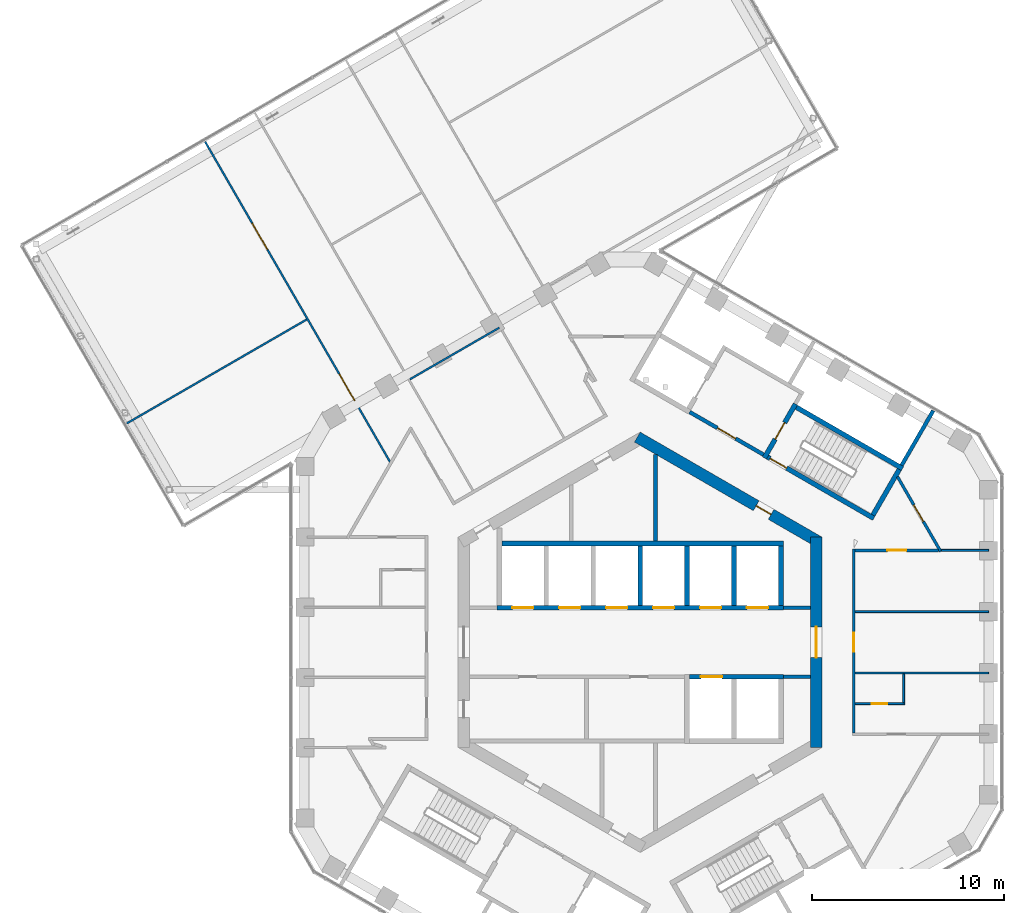
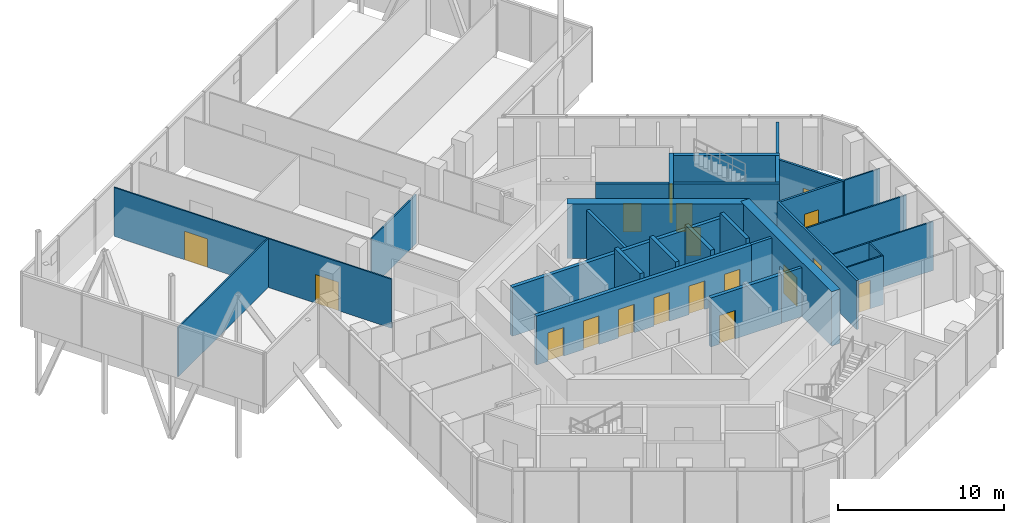
# One storey, part 17 of 21: 29 walls, 18 doors, 18 openings.
"""IFC4 building model written with IfcOpenShell, lengths in metres."""

from ifc_helpers import new_model, si_unit, direction, frame, frame_2d, origin, place, context, subcontext, project, spatial, rectangle, extrude, material, layer, layer_set, type_object, element, fill, save


model = new_model("IFC4")

# Units and contexts
model_context = context("Model", 3, precision=1e-05, world=origin(), true_north=direction((0.0, 1.0)))
body_context = subcontext(model_context, "Body", "Model", "MODEL_VIEW")
ifc_project = project(units=[si_unit("LENGTHUNIT", "METRE"), si_unit("AREAUNIT", "SQUARE_METRE"), si_unit("VOLUMEUNIT", "CUBIC_METRE"), si_unit("PLANEANGLEUNIT", "RADIAN"), si_unit("MASSUNIT", "GRAM", prefix="KILO")], contexts=[model_context])

# Site, building, storey
site_placement = place(None, origin())
site = spatial("IfcSite", under=ifc_project, at=site_placement, CompositionType="ELEMENT")
building_placement = place(site_placement, origin())
building = spatial("IfcBuilding", under=site, at=building_placement, Name="Ayvan Gate Tower", CompositionType="ELEMENT")
storey_placement = place(building_placement, frame((0.0, 0.0, 190.699951171875)))
storey = spatial("IfcBuildingStorey", under=building, at=storey_placement, Name="L51", CompositionType="ELEMENT", Elevation=190.699951171875)

# Wall, opening, door
ifc_material_1 = material(Name="Concrete C60/75", Category="concrete")
ifc_layer_1 = layer(ifc_material_1, 0.60009765625)
ifc_layer_set_1 = layer_set([ifc_layer_1], Name="Concrete C60/75")
wall_type_1 = type_object("IfcWallType", Name="Core wall 600 C60/75", PredefinedType="SHEAR", material=ifc_layer_set_1)
wall_1_placement = place(storey_placement, frame((9.199951171875, -5.48486328125, 0.0), z_axis=(0.0, 0.0, 1.0), x_axis=(0.0, 1.0, 0.0)))
wall_1 = element("IfcWall", 1, at=wall_1_placement, inside=storey, type_object=wall_type_1, Name="CORE-L51-0", PredefinedType="SHEAR", context=body_context, shape_type="SweptSolid", body=[
    extrude(rectangle(XDim=10.9697265625, YDim=0.60009765625, at=frame_2d((5.48486328125, 0.0))), origin(), (0.0, 0.0, 1.0), 4.0),
])
opening_1_placement = place(wall_1_placement, frame((4.684814453125, 0.0, 0.0)))
opening_1 = element("IfcOpeningElement", 2, at=opening_1_placement, cuts=wall_1, Name="Opening L51-D52", PredefinedType="OPENING", context=body_context, shape_type="SweptSolid", body=[
    extrude(rectangle(XDim=1.60009765625, YDim=2.10009765625, at=frame_2d((0.800048828125, 1.050048828125))), frame((0.0, 0.31005859375, 0.0), z_axis=(0.0, -1.0, 0.0), x_axis=(1.0, 0.0, 0.0)), (0.0, 0.0, 1.0), 0.6201171875),
])
ifc_material_2 = material(Name="Timber door leaf", Category="wood")
door_type_1 = type_object("IfcDoorType", Name="DT-1600", OperationType="NOTDEFINED", PredefinedType="DOOR", material=ifc_material_2)
door_1_placement = place(opening_1_placement, origin())
door_1 = element("IfcDoor", 3, at=door_1_placement, inside=storey, type_object=door_type_1, Name="CD-L51-52", OperationType="SINGLE_SWING_LEFT", OverallHeight=2.10009765625, OverallWidth=1.60009765625, PredefinedType="DOOR", context=body_context, shape_type="SweptSolid", body=[
    extrude(rectangle(XDim=1.60009765625, YDim=2.10009765625, at=frame_2d((0.800048828125, 1.050048828125))), frame((0.0, 0.02490234375, 0.0), z_axis=(0.0, -1.0, 0.0), x_axis=(1.0, 0.0, 0.0)), (0.0, 0.0, 1.0), 0.050048828125),
])
fill(opening_1, door_1)

wall_2_placement = place(storey_placement, frame((9.35009765625, 5.22509765625, 0.0), z_axis=(0.0, 0.0, 1.0), x_axis=(-0.866023993627, 0.500002442456, 0.0)))
wall_2 = element("IfcWall", 4, at=wall_2_placement, inside=storey, type_object=wall_type_1, Name="CORE-L51-1", PredefinedType="SHEAR", context=body_context, shape_type="SweptSolid", body=[
    extrude(rectangle(XDim=10.9697265625, YDim=0.60009765625, at=frame_2d((5.48486328125, 0.0))), origin(), (0.0, 0.0, 1.0), 4.0),
])
opening_2_placement = place(wall_2_placement, frame((2.90380859375, 0.0, 0.0)))
opening_2 = element("IfcOpeningElement", 5, at=opening_2_placement, cuts=wall_2, Name="Opening L51-D47", PredefinedType="OPENING", context=body_context, shape_type="SweptSolid", body=[
    extrude(rectangle(XDim=0.89990234375, YDim=2.10009765625, at=frame_2d((0.449951171875, 1.050048828125))), frame((0.0, 0.31005859375, 0.0), z_axis=(0.0, -1.0, 0.0), x_axis=(1.0, 0.0, 0.0)), (0.0, 0.0, 1.0), 0.6201171875),
])
door_type_2 = type_object("IfcDoorType", Name="DT-900", OperationType="NOTDEFINED", PredefinedType="DOOR", material=ifc_material_2)
door_2_placement = place(opening_2_placement, origin())
door_2 = element("IfcDoor", 6, at=door_2_placement, inside=storey, type_object=door_type_2, Name="CD-L51-47", OperationType="SINGLE_SWING_RIGHT", OverallHeight=2.10009765625, OverallWidth=0.89990234375, PredefinedType="DOOR", context=body_context, shape_type="SweptSolid", body=[
    extrude(rectangle(XDim=0.89990234375, YDim=2.10009765625, at=frame_2d((0.449951171875, 1.050048828125))), frame((0.0, 0.02490234375, 0.0), z_axis=(0.0, -1.0, 0.0), x_axis=(1.0, 0.0, 0.0)), (0.0, 0.0, 1.0), 0.050048828125),
])
fill(opening_2, door_2)

ifc_material_3 = material(Name="Plasterboard on steel stud", Category="steel")
ifc_layer_2 = layer(ifc_material_3, 0.14990234375)
ifc_layer_set_2 = layer_set([ifc_layer_2], Name="Plasterboard on steel stud")
wall_type_2 = type_object("IfcWallType", Name="WT-CORR-150", PredefinedType="PARTITIONING", material=ifc_layer_set_2)
wall_3_placement = place(storey_placement, frame((11.14990234375, -4.726318359375, 0.0), z_axis=(0.0, 0.0, 1.0), x_axis=(0.0, 1.0, 0.0)))
wall_3 = element("IfcWall", 7, at=wall_3_placement, inside=storey, type_object=wall_type_2, Name="IW-L51-101", PredefinedType="PARTITIONING", context=body_context, shape_type="SweptSolid", body=[
    extrude(rectangle(XDim=9.6025390625, YDim=0.14990234375, at=frame_2d((4.80126953125, 0.0))), origin(), (0.0, 0.0, 1.0), 3.60009765625),
])
opening_3_placement = place(wall_3_placement, frame((4.226318359375, 0.0, 0.0)))
opening_3 = element("IfcOpeningElement", 8, at=opening_3_placement, cuts=wall_3, Name="Opening L51-D23", PredefinedType="OPENING", context=body_context, shape_type="SweptSolid", body=[
    extrude(rectangle(XDim=1.0, YDim=2.10009765625, at=frame_2d((0.5, 1.050048828125))), frame((0.0, 0.0849609375, 0.0), z_axis=(0.0, -1.0, 0.0), x_axis=(1.0, 0.0, 0.0)), (0.0, 0.0, 1.0), 0.169921875),
])
door_type_3 = type_object("IfcDoorType", Name="DT-1000", OperationType="NOTDEFINED", PredefinedType="DOOR", material=ifc_material_2)
door_3_placement = place(opening_3_placement, origin())
door_3 = element("IfcDoor", 9, at=door_3_placement, inside=storey, type_object=door_type_3, Name="ID-L51-023", OperationType="SINGLE_SWING_RIGHT", OverallHeight=2.10009765625, OverallWidth=1.0, PredefinedType="DOOR", context=body_context, shape_type="SweptSolid", body=[
    extrude(rectangle(XDim=1.0, YDim=2.10009765625, at=frame_2d((0.5, 1.050048828125))), frame((0.0, 0.02490234375, 0.0), z_axis=(0.0, -1.0, 0.0), x_axis=(1.0, 0.0, 0.0)), (0.0, 0.0, 1.0), 0.050048828125),
])
fill(opening_3, door_3)

wall_4_placement = place(storey_placement, frame((13.429931640625, 8.644775390625, 0.0), z_axis=(0.0, 0.0, 1.0), x_axis=(0.499967522609, -0.866044153803, 0.0)))
wall_4 = element("IfcWall", 10, at=wall_4_placement, inside=storey, type_object=wall_type_2, Name="IW-L51-106", PredefinedType="PARTITIONING", context=body_context, shape_type="SweptSolid", body=[
    extrude(rectangle(XDim=4.512939453125, YDim=0.14990234375, at=frame_2d((2.25634765625, 0.0))), origin(), (0.0, 0.0, 1.0), 3.60009765625),
])
opening_4_placement = place(wall_4_placement, frame((1.70166015625, 0.0, 0.0)))
opening_4 = element("IfcOpeningElement", 11, at=opening_4_placement, cuts=wall_4, Name="Opening L51-D25", PredefinedType="OPENING", context=body_context, shape_type="SweptSolid", body=[
    extrude(rectangle(XDim=1.0, YDim=2.10009765625, at=frame_2d((0.5, 1.050048828125))), frame((0.0, 0.0849609375, 0.0), z_axis=(0.0, -1.0, 0.0), x_axis=(1.0, 0.0, 0.0)), (0.0, 0.0, 1.0), 0.169921875),
])
door_4_placement = place(opening_4_placement, origin())
door_4 = element("IfcDoor", 12, at=door_4_placement, inside=storey, type_object=door_type_3, Name="ID-L51-025", OperationType="SINGLE_SWING_RIGHT", OverallHeight=2.10009765625, OverallWidth=1.0, PredefinedType="DOOR", context=body_context, shape_type="SweptSolid", body=[
    extrude(rectangle(XDim=1.0, YDim=2.10009765625, at=frame_2d((0.5, 1.050048828125))), frame((0.0, 0.02490234375, 0.0), z_axis=(0.0, -1.0, 0.0), x_axis=(1.0, 0.0, 0.0)), (0.0, 0.0, 1.0), 0.050048828125),
])
fill(opening_4, door_4)

wall_5_placement = place(storey_placement, frame((15.573974609375, 4.80126953125, 0.0), z_axis=(0.0, 0.0, 1.0), x_axis=(-1.0, 0.0, 0.0)))
wall_5 = element("IfcWall", 13, at=wall_5_placement, inside=storey, type_object=wall_type_2, Name="IW-L51-110", PredefinedType="PARTITIONING", context=body_context, shape_type="SweptSolid", body=[
    extrude(rectangle(XDim=4.348876953125, YDim=0.14990234375, at=frame_2d((2.17431640625, 0.0))), origin(), (0.0, 0.0, 1.0), 3.60009765625),
])
opening_5_placement = place(wall_5_placement, frame((1.67431640625, 0.0, 0.0)))
opening_5 = element("IfcOpeningElement", 14, at=opening_5_placement, cuts=wall_5, Name="Opening L51-D24", PredefinedType="OPENING", context=body_context, shape_type="SweptSolid", body=[
    extrude(rectangle(XDim=1.0, YDim=2.10009765625, at=frame_2d((0.5, 1.050048828125))), frame((0.0, 0.0849609375, 0.0), z_axis=(0.0, -1.0, 0.0), x_axis=(1.0, 0.0, 0.0)), (0.0, 0.0, 1.0), 0.169921875),
])
door_5_placement = place(opening_5_placement, origin())
door_5 = element("IfcDoor", 15, at=door_5_placement, inside=storey, type_object=door_type_3, Name="ID-L51-024", OperationType="SINGLE_SWING_LEFT", OverallHeight=2.10009765625, OverallWidth=1.0, PredefinedType="DOOR", context=body_context, shape_type="SweptSolid", body=[
    extrude(rectangle(XDim=1.0, YDim=2.10009765625, at=frame_2d((0.5, 1.050048828125))), frame((0.0, 0.02490234375, 0.0), z_axis=(0.0, -1.0, 0.0), x_axis=(1.0, 0.0, 0.0)), (0.0, 0.0, 1.0), 0.050048828125),
])
fill(opening_5, door_5)

# Wall
ifc_layer_3 = layer(ifc_material_3, 0.10009765625)
ifc_layer_set_3 = layer_set([ifc_layer_3], Name="Plasterboard on steel stud")
wall_type_3 = type_object("IfcWallType", Name="WT-PART-100", PredefinedType="PARTITIONING", material=ifc_layer_set_3)
wall_6_placement = place(storey_placement, frame((-26.79931640625, 11.42578125, 0.0), z_axis=(0.0, 0.0, 1.0), x_axis=(0.866016508643, 0.500015406521, 0.0)))
element("IfcWall", 16, at=wall_6_placement, inside=storey, type_object=wall_type_3, Name="IW-L51-000", PredefinedType="PARTITIONING", context=body_context, shape_type="SweptSolid", body=[
    extrude(rectangle(XDim=10.844970703125, YDim=0.10009765625, at=frame_2d((5.42236328125, 0.0))), origin(), (0.0, 0.0, 1.0), 3.60009765625),
])

# Wall, openings, doors
wall_7_placement = place(storey_placement, frame((-22.7080078125, 26.129150390625, 0.0), z_axis=(0.0, 0.0, 1.0), x_axis=(0.500000613642, -0.866025049498, 0.0)))
wall_7 = element("IfcWall", 17, at=wall_7_placement, inside=storey, type_object=wall_type_3, Name="IW-L51-003", PredefinedType="PARTITIONING", context=body_context, shape_type="SweptSolid", body=[
    extrude(rectangle(XDim=19.2978515625, YDim=0.10009765625, at=frame_2d((9.64892578125, 0.0))), origin(), (0.0, 0.0, 1.0), 3.60009765625),
])
opening_6_placement = place(wall_7_placement, frame((14.0078125, 0.0, 0.0)))
opening_6 = element("IfcOpeningElement", 18, at=opening_6_placement, cuts=wall_7, Name="Opening L51-D40", PredefinedType="OPENING", context=body_context, shape_type="SweptSolid", body=[
    extrude(rectangle(XDim=1.60009765625, YDim=2.10009765625, at=frame_2d((0.800048828125, 1.050048828125))), frame((0.0, 0.06005859375, 0.0), z_axis=(0.0, -1.0, 0.0), x_axis=(1.0, 0.0, 0.0)), (0.0, 0.0, 1.0), 0.1201171875),
])
opening_7_placement = place(wall_7_placement, frame((4.90185546875, 0.0, 0.0)))
opening_7 = element("IfcOpeningElement", 19, at=opening_7_placement, cuts=wall_7, Name="Opening L51-D41", PredefinedType="OPENING", context=body_context, shape_type="SweptSolid", body=[
    extrude(rectangle(XDim=1.60009765625, YDim=2.10009765625, at=frame_2d((0.800048828125, 1.050048828125))), frame((0.0, 0.06005859375, 0.0), z_axis=(0.0, -1.0, 0.0), x_axis=(1.0, 0.0, 0.0)), (0.0, 0.0, 1.0), 0.1201171875),
])
door_6_placement = place(opening_6_placement, origin())
door_6 = element("IfcDoor", 20, at=door_6_placement, inside=storey, type_object=door_type_1, Name="ID-L51-040", OperationType="SINGLE_SWING_LEFT", OverallHeight=2.10009765625, OverallWidth=1.60009765625, PredefinedType="DOOR", context=body_context, shape_type="SweptSolid", body=[
    extrude(rectangle(XDim=1.60009765625, YDim=2.10009765625, at=frame_2d((0.800048828125, 1.050048828125))), frame((0.0, 0.02490234375, 0.0), z_axis=(0.0, -1.0, 0.0), x_axis=(1.0, 0.0, 0.0)), (0.0, 0.0, 1.0), 0.050048828125),
])
fill(opening_6, door_6)
door_7_placement = place(opening_7_placement, origin())
door_7 = element("IfcDoor", 21, at=door_7_placement, inside=storey, type_object=door_type_1, Name="ID-L51-041", OperationType="SINGLE_SWING_RIGHT", OverallHeight=2.10009765625, OverallWidth=1.60009765625, PredefinedType="DOOR", context=body_context, shape_type="SweptSolid", body=[
    extrude(rectangle(XDim=1.60009765625, YDim=2.10009765625, at=frame_2d((0.800048828125, 1.050048828125))), frame((0.0, 0.02490234375, 0.0), z_axis=(0.0, -1.0, 0.0), x_axis=(1.0, 0.0, 0.0)), (0.0, 0.0, 1.0), 0.050048828125),
])
fill(opening_7, door_7)

# Wall
wall_8_placement = place(storey_placement, frame((-12.02490234375, 13.7255859375, 0.0), z_axis=(0.0, 0.0, 1.0), x_axis=(0.866039334336, 0.4999758708, 0.0)))
element("IfcWall", 22, at=wall_8_placement, inside=storey, type_object=wall_type_3, Name="IW-L51-019", PredefinedType="PARTITIONING", context=body_context, shape_type="SweptSolid", body=[
    extrude(rectangle(XDim=5.392822265625, YDim=0.10009765625, at=frame_2d((2.6962890625, 0.0))), origin(), (0.0, 0.0, 1.0), 3.60009765625),
])

# Wall, opening, door
wall_9_placement = place(storey_placement, frame((11.22509765625, -3.200439453125, 0.0), z_axis=(0.0, 0.0, 1.0), x_axis=(1.0, 0.0, 0.0)))
wall_9 = element("IfcWall", 23, at=wall_9_placement, inside=storey, type_object=wall_type_3, Name="IW-L51-102", PredefinedType="PARTITIONING", context=body_context, shape_type="SweptSolid", body=[
    extrude(rectangle(XDim=2.574951171875, YDim=0.10009765625, at=frame_2d((1.28759765625, 0.0))), origin(), (0.0, 0.0, 1.0), 3.60009765625),
])
opening_8_placement = place(wall_9_placement, frame((0.862548828125, 0.0, 0.0)))
opening_8 = element("IfcOpeningElement", 24, at=opening_8_placement, cuts=wall_9, Name="Opening L51-D22", PredefinedType="OPENING", context=body_context, shape_type="SweptSolid", body=[
    extrude(rectangle(XDim=0.800048828125, YDim=2.10009765625, at=frame_2d((0.39990234375, 1.050048828125))), frame((0.0, 0.06005859375, 0.0), z_axis=(0.0, -1.0, 0.0), x_axis=(1.0, 0.0, 0.0)), (0.0, 0.0, 1.0), 0.1201171875),
])
door_type_4 = type_object("IfcDoorType", Name="DT-800", OperationType="NOTDEFINED", PredefinedType="DOOR", material=ifc_material_2)
door_8_placement = place(opening_8_placement, origin())
door_8 = element("IfcDoor", 25, at=door_8_placement, inside=storey, type_object=door_type_4, Name="ID-L51-022", OperationType="SINGLE_SWING_LEFT", OverallHeight=2.10009765625, OverallWidth=0.800048828125, PredefinedType="DOOR", context=body_context, shape_type="SweptSolid", body=[
    extrude(rectangle(XDim=0.800048828125, YDim=2.10009765625, at=frame_2d((0.39990234375, 1.050048828125))), frame((0.0, 0.02490234375, 0.0), z_axis=(0.0, -1.0, 0.0), x_axis=(1.0, 0.0, 0.0)), (0.0, 0.0, 1.0), 0.050048828125),
])
fill(opening_8, door_8)

# Walls
for number, where, z_axis, x_axis, name in (
    (26, (11.22509765625, -1.600341796875, 0.0), (0.0, 0.0, 1.0), (1.0, 0.0, 0.0), "IW-L51-103"),
    (27, (11.22509765625, 1.600341796875, 0.0), (0.0, 0.0, 1.0), (1.0, 0.0, 0.0), "IW-L51-104"),
):
    element("IfcWall", number, at=place(storey_placement, frame(where, z_axis=z_axis, x_axis=x_axis)), inside=storey, type_object=wall_type_3, Name=name, PredefinedType="PARTITIONING", context=body_context, shape_type="SweptSolid", body=[
        extrude(rectangle(XDim=6.96142578125, YDim=0.10009765625, at=frame_2d((3.480712890625, 0.0))), origin(), (0.0, 0.0, 1.0), 3.60009765625),
    ])
wall_10_placement = place(storey_placement, frame((13.75, -3.150390625, 0.0), z_axis=(0.0, 0.0, 1.0), x_axis=(0.0, 1.0, 0.0)))
element("IfcWall", 28, at=wall_10_placement, inside=storey, type_object=wall_type_3, Name="IW-L51-108", PredefinedType="PARTITIONING", context=body_context, shape_type="SweptSolid", body=[
    extrude(rectangle(XDim=1.5, YDim=0.10009765625, at=frame_2d((0.75, 0.0))), origin(), (0.0, 0.0, 1.0), 3.60009765625),
])
wall_11_placement = place(storey_placement, frame((15.723876953125, 4.80126953125, 0.0), z_axis=(0.0, 0.0, 1.0), x_axis=(1.0, 0.0, 0.0)))
element("IfcWall", 29, at=wall_11_placement, inside=storey, type_object=wall_type_3, Name="IW-L51-111", PredefinedType="PARTITIONING", context=body_context, shape_type="SweptSolid", body=[
    extrude(rectangle(XDim=2.462646484375, YDim=0.10009765625, at=frame_2d((1.2314453125, 0.0))), origin(), (0.0, 0.0, 1.0), 3.60009765625),
])
ifc_layer_4 = layer(ifc_material_3, 0.199951171875)
ifc_layer_set_4 = layer_set([ifc_layer_4], Name="Plasterboard on steel stud")
wall_type_4 = type_object("IfcWallType", Name="WT-PLUMB-200", PredefinedType="PLUMBINGWALL", material=ifc_layer_set_4)
wall_12_placement = place(storey_placement, frame((15.294921875, 12.091796875, 0.0), z_axis=(0.0, 0.0, 1.0), x_axis=(-0.499949127178, -0.86605477323, 0.0)))
element("IfcWall", 30, at=wall_12_placement, inside=storey, type_object=wall_type_4, Name="IW-L51-109", PredefinedType="PLUMBINGWALL", context=body_context, shape_type="SweptSolid", body=[
    extrude(rectangle(XDim=3.294189453125, YDim=0.199951171875, at=frame_2d((1.64697265625, 0.0))), origin(), (0.0, 0.0, 1.0), 3.60009765625),
])
ifc_layer_5 = layer(ifc_material_3, 0.199951171875)
ifc_layer_set_5 = layer_set([ifc_layer_5], Name="Plasterboard on steel stud")
wall_type_5 = type_object("IfcWallType", Name="WT-RATED-200", PredefinedType="PARTITIONING", material=ifc_layer_set_5)
wall_13_placement = place(storey_placement, frame((0.800048828125, 9.81494140625, 0.0), z_axis=(0.0, 0.0, 1.0), x_axis=(0.0, -1.0, 0.0)))
element("IfcWall", 31, at=wall_13_placement, inside=storey, type_object=wall_type_5, Name="IW-L51-066", PredefinedType="PARTITIONING", context=body_context, shape_type="SweptSolid", body=[
    extrude(rectangle(XDim=4.5400390625, YDim=0.199951171875, at=frame_2d((2.27001953125, 0.0))), origin(), (0.0, 0.0, 1.0), 3.60009765625),
])

# Wall, opening, door
wall_14_placement = place(storey_placement, frame((6.4345703125, 9.794921875, 0.0), z_axis=(0.0, 0.0, 1.0), x_axis=(-0.866012907634, 0.500021643343, 0.0)))
wall_14 = element("IfcWall", 32, at=wall_14_placement, inside=storey, type_object=wall_type_5, Name="IW-L51-084", PredefinedType="PARTITIONING", context=body_context, shape_type="SweptSolid", body=[
    extrude(rectangle(XDim=4.449951171875, YDim=0.199951171875, at=frame_2d((2.22509765625, 0.0))), origin(), (0.0, 0.0, 1.0), 3.60009765625),
])
opening_9_placement = place(wall_14_placement, frame((1.675048828125, 0.0, 0.0)))
opening_9 = element("IfcOpeningElement", 33, at=opening_9_placement, cuts=wall_14, Name="Opening L51-D12", PredefinedType="OPENING", context=body_context, shape_type="SweptSolid", body=[
    extrude(rectangle(XDim=1.10009765625, YDim=2.10009765625, at=frame_2d((0.550048828125, 1.050048828125))), frame((0.0, 0.10986328125, 0.0), z_axis=(0.0, -1.0, 0.0), x_axis=(1.0, 0.0, 0.0)), (0.0, 0.0, 1.0), 0.219970703125),
])
door_type_5 = type_object("IfcDoorType", Name="DT-1100", OperationType="NOTDEFINED", PredefinedType="DOOR", material=ifc_material_2)
door_9_placement = place(opening_9_placement, origin())
door_9 = element("IfcDoor", 34, at=door_9_placement, inside=storey, type_object=door_type_5, Name="ID-L51-012", OperationType="SINGLE_SWING_LEFT", OverallHeight=2.10009765625, OverallWidth=1.10009765625, PredefinedType="DOOR", context=body_context, shape_type="SweptSolid", body=[
    extrude(rectangle(XDim=1.10009765625, YDim=2.10009765625, at=frame_2d((0.550048828125, 1.050048828125))), frame((0.0, 0.02490234375, 0.0), z_axis=(0.0, -1.0, 0.0), x_axis=(1.0, 0.0, 0.0)), (0.0, 0.0, 1.0), 0.050048828125),
])
fill(opening_9, door_9)

# Walls
for number, where, z_axis, x_axis, name in (
    (35, (7.474853515625, 1.800048828125, 0.0), (0.0, 0.0, 1.0), (1.0, 0.0, 0.0), "IW-L51-090"),
    (36, (8.89990234375, -1.800048828125, 0.0), (0.0, 0.0, 1.0), (-1.0, 0.0, 0.0), "IW-L51-096"),
):
    element("IfcWall", number, at=place(storey_placement, frame(where, z_axis=z_axis, x_axis=x_axis)), inside=storey, type_object=wall_type_5, Name=name, PredefinedType="PARTITIONING", context=body_context, shape_type="SweptSolid", body=[
        extrude(rectangle(XDim=1.425048828125, YDim=0.199951171875, at=frame_2d((0.71240234375, 0.0))), origin(), (0.0, 0.0, 1.0), 3.60009765625),
    ])

# Wall, openings, doors
ifc_material_4 = material(Name="Concrete C50/60", Category="concrete")
ifc_layer_6 = layer(ifc_material_4, 0.25)
ifc_layer_set_6 = layer_set([ifc_layer_6], Name="Concrete C50/60")
wall_type_6 = type_object("IfcWallType", Name="WT-RC-250", PredefinedType="SHEAR", material=ifc_layer_set_6)
wall_15_placement = place(storey_placement, frame((-7.47509765625, 1.800048828125, 0.0), z_axis=(0.0, 0.0, 1.0), x_axis=(1.0, 0.0, 0.0)))
wall_15 = element("IfcWall", 37, at=wall_15_placement, inside=storey, type_object=wall_type_6, Name="IW-L51-035", PredefinedType="SHEAR", context=body_context, shape_type="SweptSolid", body=[
    extrude(rectangle(XDim=14.9501953125, YDim=0.25, at=frame_2d((7.47509765625, 0.0))), origin(), (0.0, 0.0, 1.0), 3.60009765625),
])
opening_10_placement = place(wall_15_placement, frame((0.800048828125, 0.0, 0.0)))
opening_10 = element("IfcOpeningElement", 38, at=opening_10_placement, cuts=wall_15, Name="Opening L51-LD-HR1", PredefinedType="OPENING", context=body_context, shape_type="SweptSolid", body=[
    extrude(rectangle(XDim=1.10009765625, YDim=2.10009765625, at=frame_2d((0.550048828125, 1.050048828125))), frame((0.0, 0.135009765625, 0.0), z_axis=(0.0, -1.0, 0.0), x_axis=(1.0, 0.0, 0.0)), (0.0, 0.0, 1.0), 0.27001953125),
])
opening_11_placement = place(wall_15_placement, frame((3.25, 0.0, 0.0)))
opening_11 = element("IfcOpeningElement", 39, at=opening_11_placement, cuts=wall_15, Name="Opening L51-LD-HR2", PredefinedType="OPENING", context=body_context, shape_type="SweptSolid", body=[
    extrude(rectangle(XDim=1.10009765625, YDim=2.10009765625, at=frame_2d((0.550048828125, 1.050048828125))), frame((0.0, 0.135009765625, 0.0), z_axis=(0.0, -1.0, 0.0), x_axis=(1.0, 0.0, 0.0)), (0.0, 0.0, 1.0), 0.27001953125),
])
opening_12_placement = place(wall_15_placement, frame((5.7001953125, 0.0, 0.0)))
opening_12 = element("IfcOpeningElement", 40, at=opening_12_placement, cuts=wall_15, Name="Opening L51-LD-HR3", PredefinedType="OPENING", context=body_context, shape_type="SweptSolid", body=[
    extrude(rectangle(XDim=1.10009765625, YDim=2.10009765625, at=frame_2d((0.550048828125, 1.050048828125))), frame((0.0, 0.135009765625, 0.0), z_axis=(0.0, -1.0, 0.0), x_axis=(1.0, 0.0, 0.0)), (0.0, 0.0, 1.0), 0.27001953125),
])
opening_13_placement = place(wall_15_placement, frame((8.150146484375, 0.0, 0.0)))
opening_13 = element("IfcOpeningElement", 41, at=opening_13_placement, cuts=wall_15, Name="Opening L51-LD-HR4", PredefinedType="OPENING", context=body_context, shape_type="SweptSolid", body=[
    extrude(rectangle(XDim=1.10009765625, YDim=2.10009765625, at=frame_2d((0.550048828125, 1.050048828125))), frame((0.0, 0.135009765625, 0.0), z_axis=(0.0, -1.0, 0.0), x_axis=(1.0, 0.0, 0.0)), (0.0, 0.0, 1.0), 0.27001953125),
])
opening_14_placement = place(wall_15_placement, frame((10.60009765625, 0.0, 0.0)))
opening_14 = element("IfcOpeningElement", 42, at=opening_14_placement, cuts=wall_15, Name="Opening L51-LD-HR5", PredefinedType="OPENING", context=body_context, shape_type="SweptSolid", body=[
    extrude(rectangle(XDim=1.10009765625, YDim=2.10009765625, at=frame_2d((0.550048828125, 1.050048828125))), frame((0.0, 0.135009765625, 0.0), z_axis=(0.0, -1.0, 0.0), x_axis=(1.0, 0.0, 0.0)), (0.0, 0.0, 1.0), 0.27001953125),
])
opening_15_placement = place(wall_15_placement, frame((13.050048828125, 0.0, 0.0)))
opening_15 = element("IfcOpeningElement", 43, at=opening_15_placement, cuts=wall_15, Name="Opening L51-LD-HR6", PredefinedType="OPENING", context=body_context, shape_type="SweptSolid", body=[
    extrude(rectangle(XDim=1.10009765625, YDim=2.10009765625, at=frame_2d((0.550048828125, 1.050048828125))), frame((0.0, 0.135009765625, 0.0), z_axis=(0.0, -1.0, 0.0), x_axis=(1.0, 0.0, 0.0)), (0.0, 0.0, 1.0), 0.27001953125),
])
ifc_material_5 = material(Name="Stainless steel landing door", Category="steel")
door_type_6 = type_object("IfcDoorType", Name="DT-LANDING-1100", OperationType="SLIDING_TO_LEFT", PredefinedType="DOOR", material=ifc_material_5)
door_10_placement = place(opening_10_placement, origin())
door_10 = element("IfcDoor", 44, at=door_10_placement, inside=storey, type_object=door_type_6, Name="ID-L51-001", OperationType="SLIDING_TO_LEFT", OverallHeight=2.10009765625, OverallWidth=1.10009765625, PredefinedType="DOOR", context=body_context, shape_type="SweptSolid", body=[
    extrude(rectangle(XDim=1.10009765625, YDim=2.10009765625, at=frame_2d((0.550048828125, 1.050048828125))), frame((0.0, 0.02490234375, 0.0), z_axis=(0.0, -1.0, 0.0), x_axis=(1.0, 0.0, 0.0)), (0.0, 0.0, 1.0), 0.050048828125),
])
fill(opening_10, door_10)
door_11_placement = place(opening_11_placement, origin())
door_11 = element("IfcDoor", 45, at=door_11_placement, inside=storey, type_object=door_type_6, Name="ID-L51-002", OperationType="SLIDING_TO_LEFT", OverallHeight=2.10009765625, OverallWidth=1.10009765625, PredefinedType="DOOR", context=body_context, shape_type="SweptSolid", body=[
    extrude(rectangle(XDim=1.10009765625, YDim=2.10009765625, at=frame_2d((0.550048828125, 1.050048828125))), frame((0.0, 0.02490234375, 0.0), z_axis=(0.0, -1.0, 0.0), x_axis=(1.0, 0.0, 0.0)), (0.0, 0.0, 1.0), 0.050048828125),
])
fill(opening_11, door_11)
door_12_placement = place(opening_12_placement, origin())
door_12 = element("IfcDoor", 46, at=door_12_placement, inside=storey, type_object=door_type_6, Name="ID-L51-003", OperationType="SLIDING_TO_LEFT", OverallHeight=2.10009765625, OverallWidth=1.10009765625, PredefinedType="DOOR", context=body_context, shape_type="SweptSolid", body=[
    extrude(rectangle(XDim=1.10009765625, YDim=2.10009765625, at=frame_2d((0.550048828125, 1.050048828125))), frame((0.0, 0.02490234375, 0.0), z_axis=(0.0, -1.0, 0.0), x_axis=(1.0, 0.0, 0.0)), (0.0, 0.0, 1.0), 0.050048828125),
])
fill(opening_12, door_12)
door_13_placement = place(opening_13_placement, origin())
door_13 = element("IfcDoor", 47, at=door_13_placement, inside=storey, type_object=door_type_6, Name="ID-L51-004", OperationType="SLIDING_TO_LEFT", OverallHeight=2.10009765625, OverallWidth=1.10009765625, PredefinedType="DOOR", context=body_context, shape_type="SweptSolid", body=[
    extrude(rectangle(XDim=1.10009765625, YDim=2.10009765625, at=frame_2d((0.550048828125, 1.050048828125))), frame((0.0, 0.02490234375, 0.0), z_axis=(0.0, -1.0, 0.0), x_axis=(1.0, 0.0, 0.0)), (0.0, 0.0, 1.0), 0.050048828125),
])
fill(opening_13, door_13)
door_14_placement = place(opening_14_placement, origin())
door_14 = element("IfcDoor", 48, at=door_14_placement, inside=storey, type_object=door_type_6, Name="ID-L51-005", OperationType="SLIDING_TO_LEFT", OverallHeight=2.10009765625, OverallWidth=1.10009765625, PredefinedType="DOOR", context=body_context, shape_type="SweptSolid", body=[
    extrude(rectangle(XDim=1.10009765625, YDim=2.10009765625, at=frame_2d((0.550048828125, 1.050048828125))), frame((0.0, 0.02490234375, 0.0), z_axis=(0.0, -1.0, 0.0), x_axis=(1.0, 0.0, 0.0)), (0.0, 0.0, 1.0), 0.050048828125),
])
fill(opening_14, door_14)
door_15_placement = place(opening_15_placement, origin())
door_15 = element("IfcDoor", 49, at=door_15_placement, inside=storey, type_object=door_type_6, Name="ID-L51-006", OperationType="SLIDING_TO_LEFT", OverallHeight=2.10009765625, OverallWidth=1.10009765625, PredefinedType="DOOR", context=body_context, shape_type="SweptSolid", body=[
    extrude(rectangle(XDim=1.10009765625, YDim=2.10009765625, at=frame_2d((0.550048828125, 1.050048828125))), frame((0.0, 0.02490234375, 0.0), z_axis=(0.0, -1.0, 0.0), x_axis=(1.0, 0.0, 0.0)), (0.0, 0.0, 1.0), 0.050048828125),
])
fill(opening_15, door_15)

# Walls
wall_16_placement = place(storey_placement, frame((-7.22509765625, 5.14990234375, 0.0), z_axis=(0.0, 0.0, 1.0), x_axis=(1.0, 0.0, 0.0)))
element("IfcWall", 50, at=wall_16_placement, inside=storey, type_object=wall_type_6, Name="IW-L51-037", PredefinedType="SHEAR", context=body_context, shape_type="SweptSolid", body=[
    extrude(rectangle(XDim=14.7001953125, YDim=0.25, at=frame_2d((7.35009765625, 0.0))), origin(), (0.0, 0.0, 1.0), 3.60009765625),
])
for number, where, z_axis, x_axis, name in (
    (51, (0.0, 5.02490234375, 0.0), (0.0, 0.0, 1.0), (0.0, -1.0, 0.0), "IW-L51-063"),
    (52, (2.449951171875, 5.02490234375, 0.0), (0.0, 0.0, 1.0), (0.0, -1.0, 0.0), "IW-L51-073"),
    (53, (4.89990234375, 5.02490234375, 0.0), (0.0, 0.0, 1.0), (0.0, -1.0, 0.0), "IW-L51-082"),
):
    element("IfcWall", number, at=place(storey_placement, frame(where, z_axis=z_axis, x_axis=x_axis)), inside=storey, type_object=wall_type_6, Name=name, PredefinedType="SHEAR", context=body_context, shape_type="SweptSolid", body=[
        extrude(rectangle(XDim=3.099853515625, YDim=0.25, at=frame_2d((1.5498046875, 0.0))), origin(), (0.0, 0.0, 1.0), 4.0),
    ])

# Wall, opening, door
wall_17_placement = place(storey_placement, frame((2.574951171875, -1.800048828125, 0.0), z_axis=(0.0, 0.0, 1.0), x_axis=(1.0, 0.0, 0.0)))
wall_17 = element("IfcWall", 54, at=wall_17_placement, inside=storey, type_object=wall_type_6, Name="IW-L51-083", PredefinedType="SHEAR", context=body_context, shape_type="SweptSolid", body=[
    extrude(rectangle(XDim=4.900146484375, YDim=0.25, at=frame_2d((2.4501953125, 0.0))), origin(), (0.0, 0.0, 1.0), 3.60009765625),
])
opening_16_placement = place(wall_17_placement, frame((0.597412109375, 0.0, 0.0)))
opening_16 = element("IfcOpeningElement", 55, at=opening_16_placement, cuts=wall_17, Name="Opening L51-LD-SV", PredefinedType="OPENING", context=body_context, shape_type="SweptSolid", body=[
    extrude(rectangle(XDim=1.10009765625, YDim=2.10009765625, at=frame_2d((0.550048828125, 1.050048828125))), frame((0.0, 0.135009765625, 0.0), z_axis=(0.0, -1.0, 0.0), x_axis=(1.0, 0.0, 0.0)), (0.0, 0.0, 1.0), 0.27001953125),
])
door_16_placement = place(opening_16_placement, origin())
door_16 = element("IfcDoor", 56, at=door_16_placement, inside=storey, type_object=door_type_6, Name="ID-L51-007", OperationType="SLIDING_TO_LEFT", OverallHeight=2.10009765625, OverallWidth=1.10009765625, PredefinedType="DOOR", context=body_context, shape_type="SweptSolid", body=[
    extrude(rectangle(XDim=1.10009765625, YDim=2.10009765625, at=frame_2d((0.550048828125, 1.050048828125))), frame((0.0, 0.02490234375, 0.0), z_axis=(0.0, -1.0, 0.0), x_axis=(1.0, 0.0, 0.0)), (0.0, 0.0, 1.0), 0.050048828125),
])
fill(opening_16, door_16)

wall_18_placement = place(storey_placement, frame((6.480224609375, 9.624267578125, 0.0), z_axis=(0.0, 0.0, 1.0), x_axis=(0.500017246033, 0.866015446554, 0.0)))
wall_18 = element("IfcWall", 57, at=wall_18_placement, inside=storey, type_object=wall_type_6, Name="IW-L51-085", PredefinedType="SHEAR", context=body_context, shape_type="SweptSolid", body=[
    extrude(rectangle(XDim=3.25, YDim=0.25, at=frame_2d((1.625, 0.0))), origin(), (0.0, 0.0, 1.0), 3.60009765625),
])
opening_17_placement = place(wall_18_placement, frame((1.125, 0.0, 0.0)))
opening_17 = element("IfcOpeningElement", 58, at=opening_17_placement, cuts=wall_18, Name="Opening L51-D11", PredefinedType="OPENING", context=body_context, shape_type="SweptSolid", body=[
    extrude(rectangle(XDim=1.0, YDim=2.10009765625, at=frame_2d((0.5, 1.050048828125))), frame((0.0, 0.135009765625, 0.0), z_axis=(0.0, -1.0, 0.0), x_axis=(1.0, 0.0, 0.0)), (0.0, 0.0, 1.0), 0.27001953125),
])
door_17_placement = place(opening_17_placement, origin())
door_17 = element("IfcDoor", 59, at=door_17_placement, inside=storey, type_object=door_type_3, Name="ID-L51-011", OperationType="SINGLE_SWING_RIGHT", OverallHeight=2.10009765625, OverallWidth=1.0, PredefinedType="DOOR", context=body_context, shape_type="SweptSolid", body=[
    extrude(rectangle(XDim=1.0, YDim=2.10009765625, at=frame_2d((0.5, 1.050048828125))), frame((0.0, 0.02490234375, 0.0), z_axis=(0.0, -1.0, 0.0), x_axis=(1.0, 0.0, 0.0)), (0.0, 0.0, 1.0), 0.050048828125),
])
fill(opening_17, door_17)

# Walls
wall_19_placement = place(storey_placement, frame((7.35009765625, 5.02490234375, 0.0), z_axis=(0.0, 0.0, 1.0), x_axis=(0.0, -1.0, 0.0)))
element("IfcWall", 60, at=wall_19_placement, inside=storey, type_object=wall_type_6, Name="IW-L51-092", PredefinedType="SHEAR", context=body_context, shape_type="SweptSolid", body=[
    extrude(rectangle(XDim=3.099853515625, YDim=0.25, at=frame_2d((1.5498046875, 0.0))), origin(), (0.0, 0.0, 1.0), 4.0),
])
wall_20_placement = place(storey_placement, frame((8.151123046875, 12.26806640625, 0.0), z_axis=(0.0, 0.0, 1.0), x_axis=(0.866025499775, -0.499999833739, 0.0)))
element("IfcWall", 61, at=wall_20_placement, inside=storey, type_object=wall_type_6, Name="IW-L51-094", PredefinedType="SHEAR", context=body_context, shape_type="SweptSolid", body=[
    extrude(rectangle(XDim=6.39990234375, YDim=0.25, at=frame_2d((3.199951171875, 0.0))), origin(), (0.0, 0.0, 1.0), 3.60009765625),
])

# Wall, opening, door
wall_21_placement = place(storey_placement, frame((12.193603515625, 6.469970703125, 0.0), z_axis=(0.0, 0.0, 1.0), x_axis=(-0.866025499775, 0.499999833739, 0.0)))
wall_21 = element("IfcWall", 62, at=wall_21_placement, inside=storey, type_object=wall_type_6, Name="IW-L51-105", PredefinedType="SHEAR", context=body_context, shape_type="SweptSolid", body=[
    extrude(rectangle(XDim=6.39990234375, YDim=0.25, at=frame_2d((3.199951171875, 0.0))), origin(), (0.0, 0.0, 1.0), 3.60009765625),
])
opening_18_placement = place(wall_21_placement, frame((5.25, 0.0, 0.0)))
opening_18 = element("IfcOpeningElement", 63, at=opening_18_placement, cuts=wall_21, Name="Opening L51-D10", PredefinedType="OPENING", context=body_context, shape_type="SweptSolid", body=[
    extrude(rectangle(XDim=1.0, YDim=2.10009765625, at=frame_2d((0.5, 1.050048828125))), frame((0.0, 0.135009765625, 0.0), z_axis=(0.0, -1.0, 0.0), x_axis=(1.0, 0.0, 0.0)), (0.0, 0.0, 1.0), 0.27001953125),
])
door_18_placement = place(opening_18_placement, origin())
door_18 = element("IfcDoor", 64, at=door_18_placement, inside=storey, type_object=door_type_3, Name="ID-L51-010", OperationType="SINGLE_SWING_LEFT", OverallHeight=2.10009765625, OverallWidth=1.0, PredefinedType="DOOR", context=body_context, shape_type="SweptSolid", body=[
    extrude(rectangle(XDim=1.0, YDim=2.10009765625, at=frame_2d((0.5, 1.050048828125))), frame((0.0, 0.02490234375, 0.0), z_axis=(0.0, -1.0, 0.0), x_axis=(1.0, 0.0, 0.0)), (0.0, 0.0, 1.0), 0.050048828125),
])
fill(opening_18, door_18)

# Wall
wall_22_placement = place(storey_placement, frame((12.14794921875, 6.640869140625, 0.0), z_axis=(0.0, 0.0, 1.0), x_axis=(0.500034990121, 0.866005201286, 0.0)))
element("IfcWall", 65, at=wall_22_placement, inside=storey, type_object=wall_type_6, Name="IW-L51-107", PredefinedType="SHEAR", context=body_context, shape_type="SweptSolid", body=[
    extrude(rectangle(XDim=2.749755859375, YDim=0.25, at=frame_2d((1.375, 0.0))), origin(), (0.0, 0.0, 1.0), 3.60009765625),
])

save(model, "model.ifc")
